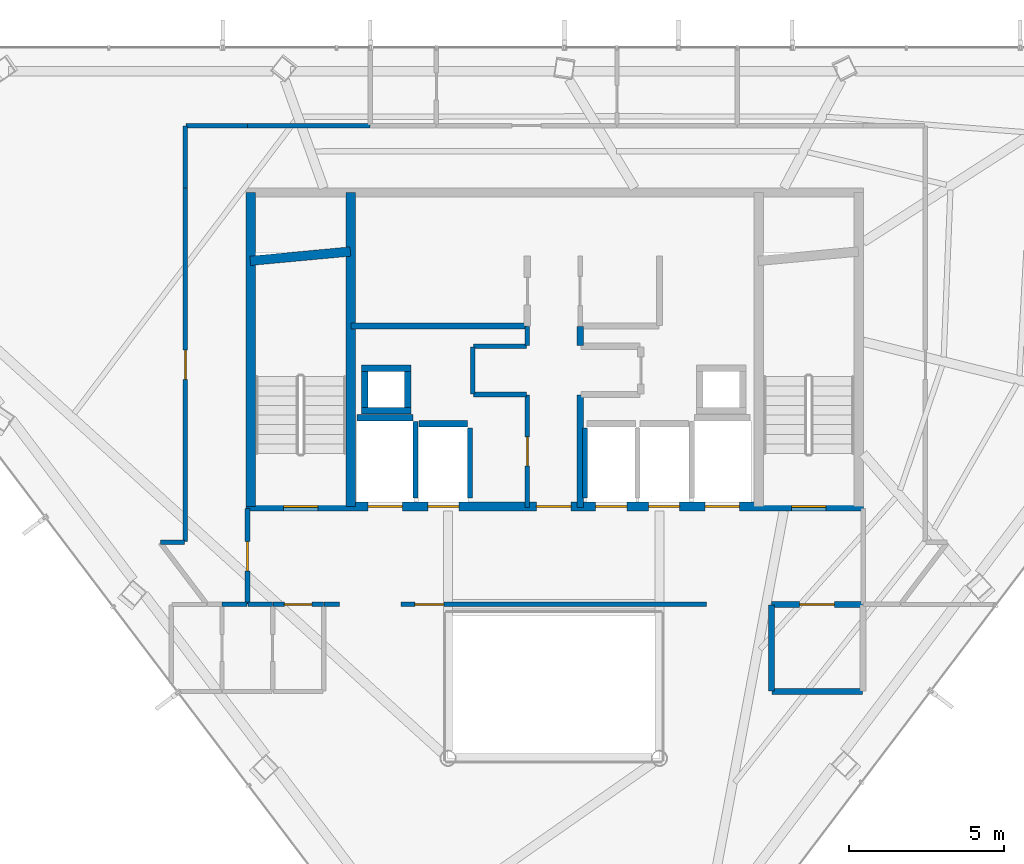
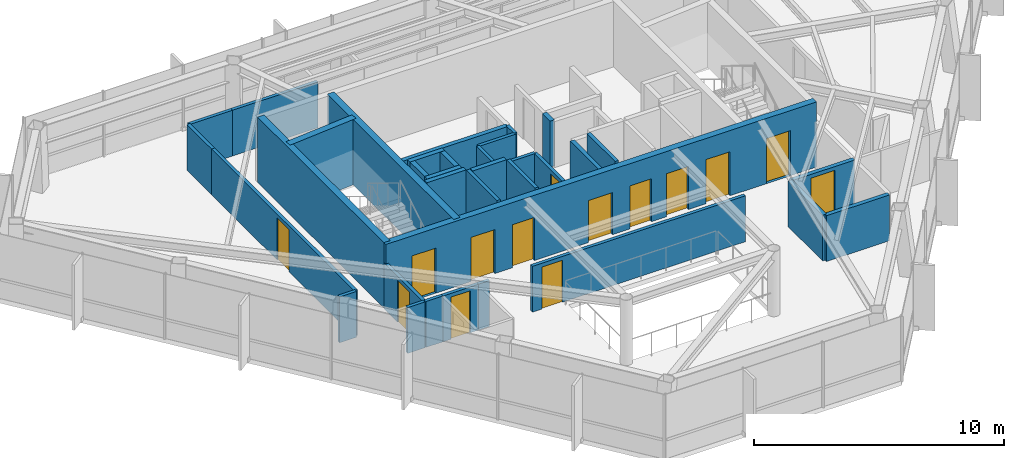
# One storey, part 22 of 25: 35 walls, 14 doors, 14 openings.
"""IFC4 building model written with IfcOpenShell, lengths in metres."""

from ifc_helpers import new_model, si_unit, direction, frame, frame_2d, origin, place, context, subcontext, project, spatial, rectangle, extrude, material, layer, layer_set, type_object, element, fill, save


model = new_model("IFC4")

# Units and contexts
model_context = context("Model", 3, precision=1e-05, world=origin(), true_north=direction((0.0, 1.0)))
body_context = subcontext(model_context, "Body", "Model", "MODEL_VIEW")
ifc_project = project(units=[si_unit("LENGTHUNIT", "METRE"), si_unit("AREAUNIT", "SQUARE_METRE"), si_unit("VOLUMEUNIT", "CUBIC_METRE"), si_unit("PLANEANGLEUNIT", "RADIAN"), si_unit("MASSUNIT", "GRAM", prefix="KILO")], contexts=[model_context])

# Site, building, storey
site_placement = place(None, origin())
site = spatial("IfcSite", under=ifc_project, at=site_placement, CompositionType="ELEMENT")
building_placement = place(site_placement, origin())
building = spatial("IfcBuilding", under=site, at=building_placement, Name="Zarrinselat Tower", CompositionType="ELEMENT")
storey_placement = place(building_placement, frame((0.0, 0.0, 246.159912109375)))
storey = spatial("IfcBuildingStorey", under=building, at=storey_placement, Name="L62", CompositionType="ELEMENT", Elevation=246.159912109375)

# Wall, opening, door
ifc_material_1 = material(Name="Concrete C40/50", Category="concrete")
ifc_layer_1 = layer(ifc_material_1, 0.18994140625)
ifc_layer_set_1 = layer_set([ifc_layer_1], Name="Concrete C40/50")
wall_type_1 = type_object("IfcWallType", Name="WAL-PART-EI120", PredefinedType="PARTITIONING", material=ifc_layer_set_1)
wall_1_placement = place(storey_placement, frame((45.405029296875, 30.14990234375, 0.0), z_axis=(0.0, 0.0, 1.0), x_axis=(1.0, 0.0, 0.0)))
wall_1 = element("IfcWall", 1, at=wall_1_placement, inside=storey, type_object=wall_type_1, Name="L62 Partition Wall 16", PredefinedType="PARTITIONING", context=body_context, shape_type="SweptSolid", body=[
    extrude(rectangle(XDim=2.925048828125, YDim=0.18994140625, at=frame_2d((1.46240234375, 0.0))), origin(), (0.0, 0.0, 1.0), 2.235107421875),
])
opening_1_placement = place(wall_1_placement, frame((0.902587890625, 0.0, 0.0)))
opening_1 = element("IfcOpeningElement", 2, at=opening_1_placement, cuts=wall_1, Name="Opening ID-02", PredefinedType="OPENING", context=body_context, shape_type="SweptSolid", body=[
    extrude(rectangle(XDim=1.1201171875, YDim=2.050048828125, at=frame_2d((0.56005859375, 1.02490234375))), frame((0.0, 0.10498046875, 0.0), z_axis=(0.0, -1.0, 0.0), x_axis=(1.0, 0.0, 0.0)), (0.0, 0.0, 1.0), 0.2099609375),
])
ifc_material_2 = material(Name="Steel S355J2", Category="steel")
door_type_1 = type_object("IfcDoorType", Name="DR-INT-FD60-W", OperationType="NOTDEFINED", PredefinedType="DOOR", material=ifc_material_2)
door_1_placement = place(opening_1_placement, origin())
door_1 = element("IfcDoor", 3, at=door_1_placement, inside=storey, type_object=door_type_1, Name="L62 Interior Door P16", OperationType="SINGLE_SWING_RIGHT", OverallHeight=2.050048828125, OverallWidth=1.1201171875, PredefinedType="DOOR", context=body_context, shape_type="SweptSolid", body=[
    extrude(rectangle(XDim=1.1201171875, YDim=2.050048828125, at=frame_2d((0.56005859375, 1.02490234375))), frame((0.0, 0.02490234375, 0.0), z_axis=(0.0, -1.0, 0.0), x_axis=(1.0, 0.0, 0.0)), (0.0, 0.0, 1.0), 0.050048828125),
])
fill(opening_1, door_1)

# Walls
wall_2_placement = place(storey_placement, frame((45.419921875, 27.35009765625, 0.0), z_axis=(0.0, 0.0, 1.0), x_axis=(1.0, 0.0, 0.0)))
element("IfcWall", 4, at=wall_2_placement, inside=storey, type_object=wall_type_1, Name="L62 Partition Wall 23", PredefinedType="PARTITIONING", context=body_context, shape_type="SweptSolid", body=[
    extrude(rectangle(XDim=2.91015625, YDim=0.18994140625, at=frame_2d((1.455078125, 0.0))), origin(), (0.0, 0.0, 1.0), 2.235107421875),
])
wall_3_placement = place(storey_placement, frame((45.39990234375, 27.3701171875, 0.0), z_axis=(0.0, 0.0, 1.0), x_axis=(0.0, 1.0, 0.0)))
element("IfcWall", 5, at=wall_3_placement, inside=storey, type_object=wall_type_1, Name="L62 Partition Wall 24", PredefinedType="PARTITIONING", context=body_context, shape_type="SweptSolid", body=[
    extrude(rectangle(XDim=2.759765625, YDim=0.18994140625, at=frame_2d((1.3798828125, 0.0))), origin(), (0.0, 0.0, 1.0), 2.235107421875),
])

# Wall, opening, door
ifc_material_3 = material(Name="Fire-Rated Gypsum Board Partition", Category="gypsum")
ifc_layer_2 = layer(ifc_material_3, 0.14990234375)
ifc_layer_set_2 = layer_set([ifc_layer_2], Name="Fire-Rated Gypsum Board Partition")
wall_type_2 = type_object("IfcWallType", Name="WAL-PART-EI60", PredefinedType="PARTITIONING", material=ifc_layer_set_2)
wall_4_placement = place(storey_placement, frame((37.550048828125, 33.264892578125, 0.0), z_axis=(0.0, 0.0, 1.0), x_axis=(0.0, 1.0, 0.0)))
wall_4 = element("IfcWall", 6, at=wall_4_placement, inside=storey, type_object=wall_type_2, Name="L62 Partition Wall 1", PredefinedType="PARTITIONING", context=body_context, shape_type="SweptSolid", body=[
    extrude(rectangle(XDim=3.614990234375, YDim=0.14990234375, at=frame_2d((1.8076171875, 0.0))), origin(), (0.0, 0.0, 1.0), 2.235107421875),
])
opening_2_placement = place(wall_4_placement, frame((1.33740234375, 0.0, 0.0)))
opening_2 = element("IfcOpeningElement", 7, at=opening_2_placement, cuts=wall_4, Name="Opening ID-04", PredefinedType="OPENING", context=body_context, shape_type="SweptSolid", body=[
    extrude(rectangle(XDim=0.93994140625, YDim=2.050048828125, at=frame_2d((0.469970703125, 1.02490234375))), frame((0.0, 0.0849609375, 0.0), z_axis=(0.0, -1.0, 0.0), x_axis=(1.0, 0.0, 0.0)), (0.0, 0.0, 1.0), 0.169921875),
])
ifc_material_4 = material(Name="Fire-Rated Gypsum Board Partition")
door_type_2 = type_object("IfcDoorType", Name="DR-INT-FD30-ENT", OperationType="NOTDEFINED", PredefinedType="DOOR", material=ifc_material_4)
door_2_placement = place(opening_2_placement, origin())
door_2 = element("IfcDoor", 8, at=door_2_placement, inside=storey, type_object=door_type_2, Name="L62 Interior Door P1", OperationType="SINGLE_SWING_RIGHT", OverallHeight=2.050048828125, OverallWidth=0.93994140625, PredefinedType="DOOR", context=body_context, shape_type="SweptSolid", body=[
    extrude(rectangle(XDim=0.93994140625, YDim=2.050048828125, at=frame_2d((0.469970703125, 1.02490234375))), frame((0.0, 0.02490234375, 0.0), z_axis=(0.0, -1.0, 0.0), x_axis=(1.0, 0.0, 0.0)), (0.0, 0.0, 1.0), 0.050048828125),
])
fill(opening_2, door_2)

# Walls
wall_5_placement = place(storey_placement, frame((35.820068359375, 36.89990234375, 0.0), z_axis=(0.0, 0.0, 1.0), x_axis=(1.0, 0.0, 0.0)))
element("IfcWall", 9, at=wall_5_placement, inside=storey, type_object=wall_type_2, Name="L62 Partition Wall 2", PredefinedType="PARTITIONING", context=body_context, shape_type="SweptSolid", body=[
    extrude(rectangle(XDim=1.7099609375, YDim=0.14990234375, at=frame_2d((0.85498046875, 0.0))), origin(), (0.0, 0.0, 1.0), 2.235107421875),
])
wall_6_placement = place(storey_placement, frame((35.800048828125, 36.919921875, 0.0), z_axis=(0.0, 0.0, 1.0), x_axis=(0.0, 1.0, 0.0)))
element("IfcWall", 10, at=wall_6_placement, inside=storey, type_object=wall_type_2, Name="L62 Partition Wall 3", PredefinedType="PARTITIONING", context=body_context, shape_type="SweptSolid", body=[
    extrude(rectangle(XDim=1.510009765625, YDim=0.14990234375, at=frame_2d((0.7548828125, 0.0))), origin(), (0.0, 0.0, 1.0), 2.235107421875),
])
wall_7_placement = place(storey_placement, frame((35.820068359375, 38.449951171875, 0.0), z_axis=(0.0, 0.0, 1.0), x_axis=(1.0, 0.0, 0.0)))
element("IfcWall", 11, at=wall_7_placement, inside=storey, type_object=wall_type_2, Name="L62 Partition Wall 4", PredefinedType="PARTITIONING", context=body_context, shape_type="SweptSolid", body=[
    extrude(rectangle(XDim=1.7099609375, YDim=0.14990234375, at=frame_2d((0.85498046875, 0.0))), origin(), (0.0, 0.0, 1.0), 2.235107421875),
])
wall_8_placement = place(storey_placement, frame((37.550048828125, 38.469970703125, 0.0), z_axis=(0.0, 0.0, 1.0), x_axis=(0.0, 1.0, 0.0)))
element("IfcWall", 12, at=wall_8_placement, inside=storey, type_object=wall_type_2, Name="L62 Partition Wall 5", PredefinedType="PARTITIONING", context=body_context, shape_type="SweptSolid", body=[
    extrude(rectangle(XDim=0.625, YDim=0.14990234375, at=frame_2d((0.3125, 0.0))), origin(), (0.0, 0.0, 1.0), 2.235107421875),
])

# Wall, opening, door
wall_9_placement = place(storey_placement, frame((28.550048828125, 30.169921875, 0.0), z_axis=(0.0, 0.0, 1.0), x_axis=(0.0, 1.0, 0.0)))
wall_9 = element("IfcWall", 13, at=wall_9_placement, inside=storey, type_object=wall_type_2, Name="L62 Partition Wall 17", PredefinedType="PARTITIONING", context=body_context, shape_type="SweptSolid", body=[
    extrude(rectangle(XDim=3.06005859375, YDim=0.14990234375, at=frame_2d((1.530029296875, 0.0))), origin(), (0.0, 0.0, 1.0), 2.235107421875),
])
opening_3_placement = place(wall_9_placement, frame((1.06005859375, 0.0, 0.0)))
opening_3 = element("IfcOpeningElement", 14, at=opening_3_placement, cuts=wall_9, Name="Opening ID-04", PredefinedType="OPENING", context=body_context, shape_type="SweptSolid", body=[
    extrude(rectangle(XDim=0.93994140625, YDim=2.050048828125, at=frame_2d((0.469970703125, 1.02490234375))), frame((0.0, 0.0849609375, 0.0), z_axis=(0.0, -1.0, 0.0), x_axis=(1.0, 0.0, 0.0)), (0.0, 0.0, 1.0), 0.169921875),
])
door_3_placement = place(opening_3_placement, origin())
door_3 = element("IfcDoor", 15, at=door_3_placement, inside=storey, type_object=door_type_2, Name="L62 Interior Door P17", OperationType="SINGLE_SWING_LEFT", OverallHeight=2.050048828125, OverallWidth=0.93994140625, PredefinedType="DOOR", context=body_context, shape_type="SweptSolid", body=[
    extrude(rectangle(XDim=0.93994140625, YDim=2.050048828125, at=frame_2d((0.469970703125, 1.02490234375))), frame((0.0, 0.02490234375, 0.0), z_axis=(0.0, -1.0, 0.0), x_axis=(1.0, 0.0, 0.0)), (0.0, 0.0, 1.0), 0.050048828125),
])
fill(opening_3, door_3)

wall_10_placement = place(storey_placement, frame((29.364990234375, 30.14990234375, 0.0), z_axis=(0.0, 0.0, 1.0), x_axis=(1.0, 0.0, 0.0)))
wall_10 = element("IfcWall", 16, at=wall_10_placement, inside=storey, type_object=wall_type_2, Name="L62 Partition Wall 19", PredefinedType="PARTITIONING", context=body_context, shape_type="SweptSolid", body=[
    extrude(rectangle(XDim=1.630126953125, YDim=0.14990234375, at=frame_2d((0.81494140625, 0.0))), origin(), (0.0, 0.0, 1.0), 2.235107421875),
])
opening_4_placement = place(wall_10_placement, frame((0.375, 0.0, 0.0)))
opening_4 = element("IfcOpeningElement", 17, at=opening_4_placement, cuts=wall_10, Name="Opening ID-03", PredefinedType="OPENING", context=body_context, shape_type="SweptSolid", body=[
    extrude(rectangle(XDim=0.8798828125, YDim=2.050048828125, at=frame_2d((0.43994140625, 1.02490234375))), frame((0.0, 0.0849609375, 0.0), z_axis=(0.0, -1.0, 0.0), x_axis=(1.0, 0.0, 0.0)), (0.0, 0.0, 1.0), 0.169921875),
])
ifc_material_5 = material(Name="Steel S355J2", Category="steel")
door_type_3 = type_object("IfcDoorType", Name="DR-INT-FD60-S", OperationType="NOTDEFINED", PredefinedType="DOOR", material=ifc_material_5)
door_4_placement = place(opening_4_placement, origin())
door_4 = element("IfcDoor", 18, at=door_4_placement, inside=storey, type_object=door_type_3, Name="L62 Interior Door P19", OperationType="SINGLE_SWING_RIGHT", OverallHeight=2.050048828125, OverallWidth=0.8798828125, PredefinedType="DOOR", context=body_context, shape_type="SweptSolid", body=[
    extrude(rectangle(XDim=0.8798828125, YDim=2.050048828125, at=frame_2d((0.43994140625, 1.02490234375))), frame((0.0, 0.02490234375, 0.0), z_axis=(0.0, -1.0, 0.0), x_axis=(1.0, 0.0, 0.0)), (0.0, 0.0, 1.0), 0.050048828125),
])
fill(opening_4, door_4)

# Wall
wall_11_placement = place(storey_placement, frame((28.570068359375, 30.14990234375, 0.0), z_axis=(0.0, 0.0, 1.0), x_axis=(1.0, 0.0, 0.0)))
element("IfcWall", 19, at=wall_11_placement, inside=storey, type_object=wall_type_2, Name="L62 Partition Wall 20", PredefinedType="PARTITIONING", context=body_context, shape_type="SweptSolid", body=[
    extrude(rectangle(XDim=0.784912109375, YDim=0.14990234375, at=frame_2d((0.392578125, 0.0))), origin(), (0.0, 0.0, 1.0), 2.235107421875),
])

# Wall, opening, door
wall_12_placement = place(storey_placement, frame((33.485107421875, 30.14990234375, 0.0), z_axis=(0.0, 0.0, 1.0), x_axis=(1.0, 0.0, 0.0)))
wall_12 = element("IfcWall", 20, at=wall_12_placement, inside=storey, type_object=wall_type_2, Name="L62 Partition Wall 21", PredefinedType="PARTITIONING", context=body_context, shape_type="SweptSolid", body=[
    extrude(rectangle(XDim=9.829833984375, YDim=0.14990234375, at=frame_2d((4.9150390625, 0.0))), origin(), (0.0, 0.0, 1.0), 2.235107421875),
])
opening_5_placement = place(wall_12_placement, frame((0.445068359375, 0.0, 0.0)))
opening_5 = element("IfcOpeningElement", 21, at=opening_5_placement, cuts=wall_12, Name="Opening ID-04", PredefinedType="OPENING", context=body_context, shape_type="SweptSolid", body=[
    extrude(rectangle(XDim=0.93994140625, YDim=2.050048828125, at=frame_2d((0.469970703125, 1.02490234375))), frame((0.0, 0.0849609375, 0.0), z_axis=(0.0, -1.0, 0.0), x_axis=(1.0, 0.0, 0.0)), (0.0, 0.0, 1.0), 0.169921875),
])
door_5_placement = place(opening_5_placement, origin())
door_5 = element("IfcDoor", 22, at=door_5_placement, inside=storey, type_object=door_type_2, Name="L62 Interior Door P21", OperationType="SINGLE_SWING_LEFT", OverallHeight=2.050048828125, OverallWidth=0.93994140625, PredefinedType="DOOR", context=body_context, shape_type="SweptSolid", body=[
    extrude(rectangle(XDim=0.93994140625, YDim=2.050048828125, at=frame_2d((0.469970703125, 1.02490234375))), frame((0.0, 0.02490234375, 0.0), z_axis=(0.0, -1.0, 0.0), x_axis=(1.0, 0.0, 0.0)), (0.0, 0.0, 1.0), 0.050048828125),
])
fill(opening_5, door_5)

# Walls
wall_13_placement = place(storey_placement, frame((31.0048828125, 30.14990234375, 0.0), z_axis=(0.0, 0.0, 1.0), x_axis=(1.0, 0.0, 0.0)))
element("IfcWall", 23, at=wall_13_placement, inside=storey, type_object=wall_type_2, Name="L62 Partition Wall 22", PredefinedType="PARTITIONING", context=body_context, shape_type="SweptSolid", body=[
    extrude(rectangle(XDim=0.510009765625, YDim=0.14990234375, at=frame_2d((0.2548828125, 0.0))), origin(), (0.0, 0.0, 1.0), 2.235107421875),
])
wall_14_placement = place(storey_placement, frame((27.735107421875, 30.14990234375, 0.0), z_axis=(0.0, 0.0, 1.0), x_axis=(1.0, 0.0, 0.0)))
element("IfcWall", 24, at=wall_14_placement, inside=storey, type_object=wall_type_2, Name="L62 Partition Wall 27", PredefinedType="PARTITIONING", context=body_context, shape_type="SweptSolid", body=[
    extrude(rectangle(XDim=0.794921875, YDim=0.14990234375, at=frame_2d((0.3974609375, 0.0))), origin(), (0.0, 0.0, 1.0), 2.235107421875),
])
wall_15_placement = place(storey_placement, frame((25.754638671875, 32.14990234375, 0.0), z_axis=(0.0, 0.0, 1.0), x_axis=(1.0, 0.0, 0.0)))
element("IfcWall", 25, at=wall_15_placement, inside=storey, type_object=wall_type_2, Name="L62 Partition Wall 30", PredefinedType="PARTITIONING", context=body_context, shape_type="SweptSolid", body=[
    extrude(rectangle(XDim=0.775390625, YDim=0.14990234375, at=frame_2d((0.3876953125, 0.0))), origin(), (0.0, 0.0, 1.0), 2.235107421875),
])

# Wall, opening, door
wall_16_placement = place(storey_placement, frame((26.550048828125, 32.169921875, 0.0), z_axis=(0.0, 0.0, 1.0), x_axis=(0.0, 1.0, 0.0)))
wall_16 = element("IfcWall", 26, at=wall_16_placement, inside=storey, type_object=wall_type_2, Name="L62 Partition Wall 31", PredefinedType="PARTITIONING", context=body_context, shape_type="SweptSolid", body=[
    extrude(rectangle(XDim=11.380126953125, YDim=0.14990234375, at=frame_2d((5.68994140625, 0.0))), origin(), (0.0, 0.0, 1.0), 2.235107421875),
])
opening_6_placement = place(wall_16_placement, frame((5.219970703125, 0.0, 0.0)))
opening_6 = element("IfcOpeningElement", 27, at=opening_6_placement, cuts=wall_16, Name="Opening ID-04", PredefinedType="OPENING", context=body_context, shape_type="SweptSolid", body=[
    extrude(rectangle(XDim=0.93994140625, YDim=2.050048828125, at=frame_2d((0.469970703125, 1.02490234375))), frame((0.0, 0.0849609375, 0.0), z_axis=(0.0, -1.0, 0.0), x_axis=(1.0, 0.0, 0.0)), (0.0, 0.0, 1.0), 0.169921875),
])
door_6_placement = place(opening_6_placement, origin())
door_6 = element("IfcDoor", 28, at=door_6_placement, inside=storey, type_object=door_type_2, Name="L62 Interior Door P31", OperationType="SINGLE_SWING_RIGHT", OverallHeight=2.050048828125, OverallWidth=0.93994140625, PredefinedType="DOOR", context=body_context, shape_type="SweptSolid", body=[
    extrude(rectangle(XDim=0.93994140625, YDim=2.050048828125, at=frame_2d((0.469970703125, 1.02490234375))), frame((0.0, 0.02490234375, 0.0), z_axis=(0.0, -1.0, 0.0), x_axis=(1.0, 0.0, 0.0)), (0.0, 0.0, 1.0), 0.050048828125),
])
fill(opening_6, door_6)

# Walls
for number, where, z_axis, x_axis, name in (
    (29, (26.550048828125, 43.550048828125, 0.0), (0.0, 0.0, 1.0), (0.0, 1.0, 0.0), "L62 Partition Wall 32"),
    (30, (26.570068359375, 45.550048828125, 0.0), (0.0, 0.0, 1.0), (1.0, 0.0, 0.0), "L62 Partition Wall 33"),
):
    element("IfcWall", number, at=place(storey_placement, frame(where, z_axis=z_axis, x_axis=x_axis)), inside=storey, type_object=wall_type_2, Name=name, PredefinedType="PARTITIONING", context=body_context, shape_type="SweptSolid", body=[
        extrude(rectangle(XDim=1.97998046875, YDim=0.14990234375, at=frame_2d((0.989990234375, 0.0))), origin(), (0.0, 0.0, 1.0), 2.235107421875),
    ])
wall_17_placement = place(storey_placement, frame((28.550048828125, 45.550048828125, 0.0), z_axis=(0.0, 0.0, 1.0), x_axis=(1.0, 0.0, 0.0)))
element("IfcWall", 31, at=wall_17_placement, inside=storey, type_object=wall_type_2, Name="L62 Partition Wall 34", PredefinedType="PARTITIONING", context=body_context, shape_type="SweptSolid", body=[
    extrude(rectangle(XDim=3.945068359375, YDim=0.14990234375, at=frame_2d((1.97265625, 0.0))), origin(), (0.0, 0.0, 1.0), 2.235107421875),
])
ifc_material_6 = material(Name="Concrete C40/50", Category="concrete")
ifc_layer_3 = layer(ifc_material_6, 0.199951171875)
ifc_layer_set_3 = layer_set([ifc_layer_3], Name="Concrete C40/50")
wall_type_3 = type_object("IfcWallType", Name="WAL-PART-PLANT", PredefinedType="PARTITIONING", material=ifc_layer_set_3)
wall_18_placement = place(storey_placement, frame((39.25, 38.469970703125, 0.0), z_axis=(0.0, 0.0, 1.0), x_axis=(0.0, 1.0, 0.0)))
element("IfcWall", 32, at=wall_18_placement, inside=storey, type_object=wall_type_3, Name="L62 Partition Wall 7", PredefinedType="PARTITIONING", context=body_context, shape_type="SweptSolid", body=[
    extrude(rectangle(XDim=0.625, YDim=0.199951171875, at=frame_2d((0.3125, 0.0))), origin(), (0.0, 0.0, 1.0), 2.235107421875),
])
wall_19_placement = place(storey_placement, frame((39.25, 33.264892578125, 0.0), z_axis=(0.0, 0.0, 1.0), x_axis=(0.0, 1.0, 0.0)))
element("IfcWall", 33, at=wall_19_placement, inside=storey, type_object=wall_type_3, Name="L62 Partition Wall 11", PredefinedType="PARTITIONING", context=body_context, shape_type="SweptSolid", body=[
    extrude(rectangle(XDim=3.614990234375, YDim=0.199951171875, at=frame_2d((1.8076171875, 0.0))), origin(), (0.0, 0.0, 1.0), 2.235107421875),
])
wall_20_placement = place(storey_placement, frame((31.885009765625, 39.10009765625, 0.0), z_axis=(0.0, 0.0, 1.0), x_axis=(1.0, 0.0, 0.0)))
element("IfcWall", 34, at=wall_20_placement, inside=storey, type_object=wall_type_3, Name="L62 Partition Wall 13", PredefinedType="PARTITIONING", context=body_context, shape_type="SweptSolid", body=[
    extrude(rectangle(XDim=5.64501953125, YDim=0.199951171875, at=frame_2d((2.822509765625, 0.0))), origin(), (0.0, 0.0, 1.0), 2.235107421875),
])
ifc_material_7 = material(Name="Concrete C40/50", Category="concrete")
ifc_layer_4 = layer(ifc_material_7, 0.2099609375)
ifc_layer_set_4 = layer_set([ifc_layer_4], Name="Concrete C40/50")
wall_type_4 = type_object("IfcWallType", Name="WAL-SHAFT-210", PredefinedType="SOLIDWALL", material=ifc_layer_set_4)
wall_21_placement = place(storey_placement, frame((32.080078125, 36.155029296875, 0.0), z_axis=(0.0, 0.0, 1.0), x_axis=(1.0, 0.0, 0.0)))
element("IfcWall", 35, at=wall_21_placement, inside=storey, type_object=wall_type_4, Name="L62 Lift FFL1 North Shaft Wall", PredefinedType="SOLIDWALL", context=body_context, shape_type="SweptSolid", body=[
    extrude(rectangle(XDim=1.7998046875, YDim=0.2099609375, at=frame_2d((0.89990234375, 0.0))), origin(), (0.0, 0.0, 1.0), 3.18017578125),
])
wall_22_placement = place(storey_placement, frame((33.949951171875, 33.580078125, 0.0), z_axis=(0.0, 0.0, 1.0), x_axis=(0.0, 1.0, 0.0)))
element("IfcWall", 36, at=wall_22_placement, inside=storey, type_object=wall_type_4, Name="L62 Lift FFL1 E Shaft Wall", PredefinedType="SOLIDWALL", context=body_context, shape_type="SweptSolid", body=[
    extrude(rectangle(XDim=2.449951171875, YDim=0.159912109375, at=frame_2d((1.22509765625, 0.0))), origin(), (0.0, 0.0, 1.0), 3.18017578125),
])
wall_23_placement = place(storey_placement, frame((39.39990234375, 33.580078125, 0.0), z_axis=(0.0, 0.0, 1.0), x_axis=(0.0, 1.0, 0.0)))
element("IfcWall", 37, at=wall_23_placement, inside=storey, type_object=wall_type_4, Name="L62 Lift PL8 W Shaft Wall", PredefinedType="SOLIDWALL", context=body_context, shape_type="SweptSolid", body=[
    extrude(rectangle(XDim=2.25, YDim=0.159912109375, at=frame_2d((1.125, 0.0))), origin(), (0.0, 0.0, 1.0), 3.18017578125),
])
wall_24_placement = place(storey_placement, frame((34.070068359375, 35.955078125, 0.0), z_axis=(0.0, 0.0, 1.0), x_axis=(1.0, 0.0, 0.0)))
element("IfcWall", 38, at=wall_24_placement, inside=storey, type_object=wall_type_4, Name="L62 Lift PL10 North Shaft Wall", PredefinedType="SOLIDWALL", context=body_context, shape_type="SweptSolid", body=[
    extrude(rectangle(XDim=1.559814453125, YDim=0.2099609375, at=frame_2d((0.77978515625, 0.0))), origin(), (0.0, 0.0, 1.0), 3.18017578125),
])
wall_25_placement = place(storey_placement, frame((35.699951171875, 33.580078125, 0.0), z_axis=(0.0, 0.0, 1.0), x_axis=(0.0, 1.0, 0.0)))
element("IfcWall", 39, at=wall_25_placement, inside=storey, type_object=wall_type_4, Name="L62 Lift PL10 E Shaft Wall", PredefinedType="SOLIDWALL", context=body_context, shape_type="SweptSolid", body=[
    extrude(rectangle(XDim=2.25, YDim=0.159912109375, at=frame_2d((1.125, 0.0))), origin(), (0.0, 0.0, 1.0), 3.18017578125),
])
for number, where, z_axis, x_axis, name in (
    (40, (32.2099609375, 36.375, 0.0), (0.0, 0.0, 1.0), (1.0, 0.0, 0.0), "L62 Core Riser RSR-W S Shaft Wall"),
    (41, (32.2099609375, 37.7451171875, 0.0), (0.0, 0.0, 1.0), (1.0, 0.0, 0.0), "L62 Core Riser RSR-W N Shaft Wall"),
):
    element("IfcWall", number, at=place(storey_placement, frame(where, z_axis=z_axis, x_axis=x_axis)), inside=storey, type_object=wall_type_4, Name=name, PredefinedType="SOLIDWALL", context=body_context, shape_type="SweptSolid", body=[
        extrude(rectangle(XDim=1.60009765625, YDim=0.2099609375, at=frame_2d((0.800048828125, 0.0))), origin(), (0.0, 0.0, 1.0), 3.18017578125),
    ])
for number, where, z_axis, x_axis, name in (
    (42, (32.31494140625, 36.485107421875, 0.0), (0.0, 0.0, 1.0), (0.0, 1.0, 0.0), "L62 Core Riser RSR-W W Shaft Wall"),
    (43, (33.705078125, 36.485107421875, 0.0), (0.0, 0.0, 1.0), (0.0, 1.0, 0.0), "L62 Core Riser RSR-W E Shaft Wall"),
):
    element("IfcWall", number, at=place(storey_placement, frame(where, z_axis=z_axis, x_axis=x_axis)), inside=storey, type_object=wall_type_4, Name=name, PredefinedType="SOLIDWALL", context=body_context, shape_type="SweptSolid", body=[
        extrude(rectangle(XDim=1.14990234375, YDim=0.2099609375, at=frame_2d((0.574951171875, 0.0))), origin(), (0.0, 0.0, 1.0), 3.18017578125),
    ])

# Wall, openings, doors
ifc_material_8 = material(Name="Concrete C40/50", Category="concrete")
ifc_layer_5 = layer(ifc_material_8, 0.300048828125)
ifc_layer_set_5 = layer_set([ifc_layer_5], Name="Concrete C40/50")
wall_type_5 = type_object("IfcWallType", Name="WAL-SHEAR-300", PredefinedType="SHEAR", material=ifc_layer_set_5)
wall_26_placement = place(storey_placement, frame((28.5, 33.300048828125, 0.0), z_axis=(0.0, 0.0, 1.0), x_axis=(1.0, 0.0, 0.0)))
wall_26 = element("IfcWall", 44, at=wall_26_placement, inside=storey, type_object=wall_type_5, Name="L62 South Core Shear Wall", PredefinedType="SHEAR", context=body_context, shape_type="SweptSolid", body=[
    extrude(rectangle(XDim=19.860107421875, YDim=0.300048828125, at=frame_2d((9.93017578125, 0.0))), origin(), (0.0, 0.0, 1.0), 3.18017578125),
])
opening_7_placement = place(wall_26_placement, frame((3.929931640625, 0.0, 0.0)))
opening_7 = element("IfcOpeningElement", 45, at=opening_7_placement, cuts=wall_26, Name="Opening LD-FFL1", PredefinedType="OPENING", context=body_context, shape_type="SweptSolid", body=[
    extrude(rectangle(XDim=1.10009765625, YDim=2.14990234375, at=frame_2d((0.550048828125, 1.074951171875))), frame((0.0, 0.159912109375, 0.0), z_axis=(0.0, -1.0, 0.0), x_axis=(1.0, 0.0, 0.0)), (0.0, 0.0, 1.0), 0.320068359375),
])
opening_8_placement = place(wall_26_placement, frame((14.77001953125, 0.0, 0.0)))
opening_8 = element("IfcOpeningElement", 46, at=opening_8_placement, cuts=wall_26, Name="Opening LD-FFL2", PredefinedType="OPENING", context=body_context, shape_type="SweptSolid", body=[
    extrude(rectangle(XDim=1.10009765625, YDim=2.14990234375, at=frame_2d((0.550048828125, 1.074951171875))), frame((0.0, 0.159912109375, 0.0), z_axis=(0.0, -1.0, 0.0), x_axis=(1.0, 0.0, 0.0)), (0.0, 0.0, 1.0), 0.320068359375),
])
opening_9_placement = place(wall_26_placement, frame((11.25, 0.0, 0.0)))
opening_9 = element("IfcOpeningElement", 47, at=opening_9_placement, cuts=wall_26, Name="Opening LD-PL8", PredefinedType="OPENING", context=body_context, shape_type="SweptSolid", body=[
    extrude(rectangle(XDim=1.0, YDim=2.10009765625, at=frame_2d((0.5, 1.050048828125))), frame((0.0, 0.159912109375, 0.0), z_axis=(0.0, -1.0, 0.0), x_axis=(1.0, 0.0, 0.0)), (0.0, 0.0, 1.0), 0.320068359375),
])
opening_10_placement = place(wall_26_placement, frame((12.949951171875, 0.0, 0.0)))
opening_10 = element("IfcOpeningElement", 48, at=opening_10_placement, cuts=wall_26, Name="Opening LD-PL9", PredefinedType="OPENING", context=body_context, shape_type="SweptSolid", body=[
    extrude(rectangle(XDim=1.0, YDim=2.10009765625, at=frame_2d((0.5, 1.050048828125))), frame((0.0, 0.159912109375, 0.0), z_axis=(0.0, -1.0, 0.0), x_axis=(1.0, 0.0, 0.0)), (0.0, 0.0, 1.0), 0.320068359375),
])
opening_11_placement = place(wall_26_placement, frame((5.85009765625, 0.0, 0.0)))
opening_11 = element("IfcOpeningElement", 49, at=opening_11_placement, cuts=wall_26, Name="Opening LD-PL10", PredefinedType="OPENING", context=body_context, shape_type="SweptSolid", body=[
    extrude(rectangle(XDim=1.0, YDim=2.10009765625, at=frame_2d((0.5, 1.050048828125))), frame((0.0, 0.159912109375, 0.0), z_axis=(0.0, -1.0, 0.0), x_axis=(1.0, 0.0, 0.0)), (0.0, 0.0, 1.0), 0.320068359375),
])
opening_12_placement = place(wall_26_placement, frame((1.2099609375, 0.0, 0.0)))
opening_12 = element("IfcOpeningElement", 50, at=opening_12_placement, cuts=wall_26, Name="Opening SD-01", PredefinedType="OPENING", context=body_context, shape_type="SweptSolid", body=[
    extrude(rectangle(XDim=1.10009765625, YDim=2.199951171875, at=frame_2d((0.550048828125, 1.10009765625))), frame((0.0, 0.159912109375, 0.0), z_axis=(0.0, -1.0, 0.0), x_axis=(1.0, 0.0, 0.0)), (0.0, 0.0, 1.0), 0.320068359375),
])
opening_13_placement = place(wall_26_placement, frame((9.340087890625, 0.0, 0.0)))
opening_13 = element("IfcOpeningElement", 51, at=opening_13_placement, cuts=wall_26, Name="Opening ID-02", PredefinedType="OPENING", context=body_context, shape_type="SweptSolid", body=[
    extrude(rectangle(XDim=1.1201171875, YDim=2.050048828125, at=frame_2d((0.56005859375, 1.02490234375))), frame((0.0, 0.159912109375, 0.0), z_axis=(0.0, -1.0, 0.0), x_axis=(1.0, 0.0, 0.0)), (0.0, 0.0, 1.0), 0.320068359375),
])
opening_14_placement = place(wall_26_placement, frame((17.550048828125, 0.0, 0.0)))
opening_14 = element("IfcOpeningElement", 52, at=opening_14_placement, cuts=wall_26, Name="Opening SD-01", PredefinedType="OPENING", context=body_context, shape_type="SweptSolid", body=[
    extrude(rectangle(XDim=1.10009765625, YDim=2.199951171875, at=frame_2d((0.550048828125, 1.10009765625))), frame((0.0, 0.159912109375, 0.0), z_axis=(0.0, -1.0, 0.0), x_axis=(1.0, 0.0, 0.0)), (0.0, 0.0, 1.0), 0.320068359375),
])
door_7_placement = place(opening_13_placement, origin())
door_7 = element("IfcDoor", 53, at=door_7_placement, inside=storey, type_object=door_type_1, Name="L62 Core Service Vestibule Fire Door", OperationType="SINGLE_SWING_RIGHT", OverallHeight=2.050048828125, OverallWidth=1.1201171875, PredefinedType="DOOR", context=body_context, shape_type="SweptSolid", body=[
    extrude(rectangle(XDim=1.1201171875, YDim=2.050048828125, at=frame_2d((0.56005859375, 1.02490234375))), frame((0.0, 0.02490234375, 0.0), z_axis=(0.0, -1.0, 0.0), x_axis=(1.0, 0.0, 0.0)), (0.0, 0.0, 1.0), 0.050048828125),
])
fill(opening_13, door_7)
ifc_material_9 = material(Name="Steel S355J2", Category="steel")
door_type_4 = type_object("IfcDoorType", Name="DR-LIFT-FF-1100", OperationType="NOTDEFINED", PredefinedType="DOOR", material=ifc_material_9)
door_8_placement = place(opening_7_placement, origin())
door_8 = element("IfcDoor", 54, at=door_8_placement, inside=storey, type_object=door_type_4, Name="L62 Lift FFL1 Sliding Landing Door", OperationType="SLIDING_TO_LEFT", OverallHeight=2.14990234375, OverallWidth=1.10009765625, PredefinedType="DOOR", context=body_context, shape_type="SweptSolid", body=[
    extrude(rectangle(XDim=1.10009765625, YDim=2.14990234375, at=frame_2d((0.550048828125, 1.074951171875))), frame((0.0, 0.02490234375, 0.0), z_axis=(0.0, -1.0, 0.0), x_axis=(1.0, 0.0, 0.0)), (0.0, 0.0, 1.0), 0.050048828125),
])
fill(opening_7, door_8)
door_9_placement = place(opening_8_placement, origin())
door_9 = element("IfcDoor", 55, at=door_9_placement, inside=storey, type_object=door_type_4, Name="L62 Lift FFL2 Sliding Landing Door", OperationType="SLIDING_TO_RIGHT", OverallHeight=2.14990234375, OverallWidth=1.10009765625, PredefinedType="DOOR", context=body_context, shape_type="SweptSolid", body=[
    extrude(rectangle(XDim=1.10009765625, YDim=2.14990234375, at=frame_2d((0.550048828125, 1.074951171875))), frame((0.0, 0.02490234375, 0.0), z_axis=(0.0, -1.0, 0.0), x_axis=(1.0, 0.0, 0.0)), (0.0, 0.0, 1.0), 0.050048828125),
])
fill(opening_8, door_9)
ifc_material_10 = material(Name="Steel S355J2", Category="steel")
door_type_5 = type_object("IfcDoorType", Name="DR-LIFT-PS-1000", OperationType="NOTDEFINED", PredefinedType="DOOR", material=ifc_material_10)
door_10_placement = place(opening_9_placement, origin())
door_10 = element("IfcDoor", 56, at=door_10_placement, inside=storey, type_object=door_type_5, Name="L62 Lift PL8 Sliding Landing Door", OperationType="SLIDING_TO_RIGHT", OverallHeight=2.10009765625, OverallWidth=1.0, PredefinedType="DOOR", context=body_context, shape_type="SweptSolid", body=[
    extrude(rectangle(XDim=1.0, YDim=2.10009765625, at=frame_2d((0.5, 1.050048828125))), frame((0.0, 0.02490234375, 0.0), z_axis=(0.0, -1.0, 0.0), x_axis=(1.0, 0.0, 0.0)), (0.0, 0.0, 1.0), 0.050048828125),
])
fill(opening_9, door_10)
door_11_placement = place(opening_10_placement, origin())
door_11 = element("IfcDoor", 57, at=door_11_placement, inside=storey, type_object=door_type_5, Name="L62 Lift PL9 Sliding Landing Door", OperationType="SLIDING_TO_LEFT", OverallHeight=2.10009765625, OverallWidth=1.0, PredefinedType="DOOR", context=body_context, shape_type="SweptSolid", body=[
    extrude(rectangle(XDim=1.0, YDim=2.10009765625, at=frame_2d((0.5, 1.050048828125))), frame((0.0, 0.02490234375, 0.0), z_axis=(0.0, -1.0, 0.0), x_axis=(1.0, 0.0, 0.0)), (0.0, 0.0, 1.0), 0.050048828125),
])
fill(opening_10, door_11)
door_12_placement = place(opening_11_placement, origin())
door_12 = element("IfcDoor", 58, at=door_12_placement, inside=storey, type_object=door_type_5, Name="L62 Lift PL10 Sliding Landing Door", OperationType="SLIDING_TO_RIGHT", OverallHeight=2.10009765625, OverallWidth=1.0, PredefinedType="DOOR", context=body_context, shape_type="SweptSolid", body=[
    extrude(rectangle(XDim=1.0, YDim=2.10009765625, at=frame_2d((0.5, 1.050048828125))), frame((0.0, 0.02490234375, 0.0), z_axis=(0.0, -1.0, 0.0), x_axis=(1.0, 0.0, 0.0)), (0.0, 0.0, 1.0), 0.050048828125),
])
fill(opening_11, door_12)
ifc_material_11 = material(Name="Steel S355J2", Category="steel")
door_type_6 = type_object("IfcDoorType", Name="DR-STAIR-1100", OperationType="NOTDEFINED", PredefinedType="DOOR", material=ifc_material_11)
door_13_placement = place(opening_12_placement, origin())
door_13 = element("IfcDoor", 59, at=door_13_placement, inside=storey, type_object=door_type_6, Name="L62 Exit Stair 1 Fire Door", OperationType="SINGLE_SWING_LEFT", OverallHeight=2.199951171875, OverallWidth=1.10009765625, PredefinedType="DOOR", context=body_context, shape_type="SweptSolid", body=[
    extrude(rectangle(XDim=1.10009765625, YDim=2.199951171875, at=frame_2d((0.550048828125, 1.10009765625))), frame((0.0, 0.02490234375, 0.0), z_axis=(0.0, -1.0, 0.0), x_axis=(1.0, 0.0, 0.0)), (0.0, 0.0, 1.0), 0.050048828125),
])
fill(opening_12, door_13)
door_14_placement = place(opening_14_placement, origin())
door_14 = element("IfcDoor", 60, at=door_14_placement, inside=storey, type_object=door_type_6, Name="L62 Exit Stair 2 Fire Door", OperationType="SINGLE_SWING_RIGHT", OverallHeight=2.199951171875, OverallWidth=1.10009765625, PredefinedType="DOOR", context=body_context, shape_type="SweptSolid", body=[
    extrude(rectangle(XDim=1.10009765625, YDim=2.199951171875, at=frame_2d((0.550048828125, 1.10009765625))), frame((0.0, 0.02490234375, 0.0), z_axis=(0.0, -1.0, 0.0), x_axis=(1.0, 0.0, 0.0)), (0.0, 0.0, 1.0), 0.050048828125),
])
fill(opening_14, door_14)

# Walls
for number, where, z_axis, x_axis, name in (
    (61, (28.64990234375, 33.300048828125, 0.0), (0.0, 0.0, 1.0), (0.0, 1.0, 0.0), "L62 Core Shear Wall W"),
    (62, (31.8701171875, 33.300048828125, 0.0), (0.0, 0.0, 1.0), (0.0, 1.0, 0.0), "L62 Core Shear Wall ST1E"),
):
    element("IfcWall", number, at=place(storey_placement, frame(where, z_axis=z_axis, x_axis=x_axis)), inside=storey, type_object=wall_type_5, Name=name, PredefinedType="SHEAR", context=body_context, shape_type="SweptSolid", body=[
        extrude(rectangle(XDim=10.099853515625, YDim=0.300048828125, at=frame_2d((5.0498046875, 0.0))), origin(), (0.0, 0.0, 1.0), 3.18017578125),
    ])
wall_27_placement = place(storey_placement, frame((28.639892578125, 41.199951171875, 0.0), z_axis=(0.0, 0.0, 1.0), x_axis=(0.995687118776, 0.092774789157, 0.0)))
element("IfcWall", 63, at=wall_27_placement, inside=storey, type_object=wall_type_5, Name="L62 Stair 1 North Shaft Wall", PredefinedType="SHEAR", context=body_context, shape_type="SweptSolid", body=[
    extrude(rectangle(XDim=3.234130859375, YDim=0.300048828125, at=frame_2d((1.6171875, 0.0))), origin(), (0.0, 0.0, 1.0), 3.18017578125),
])

save(model, "model.ifc")
